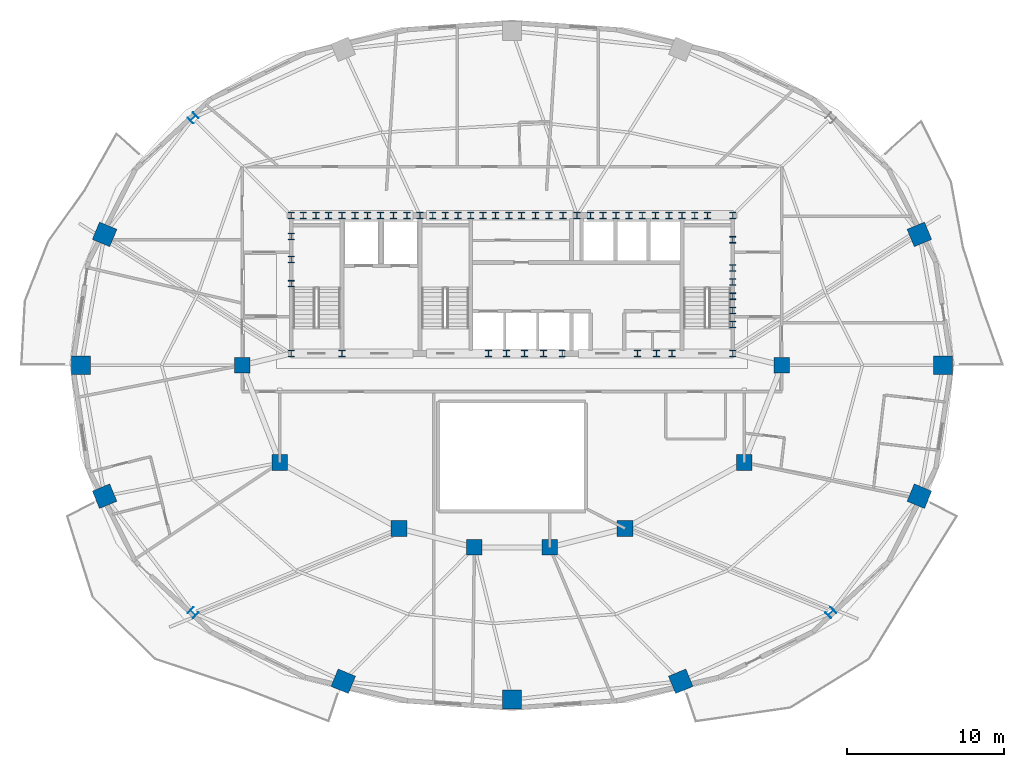
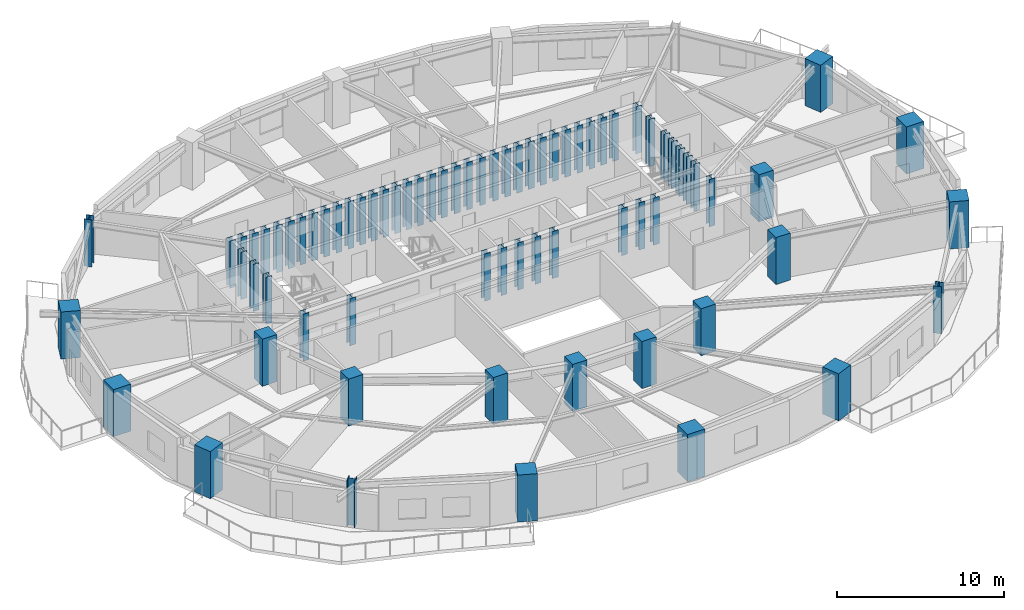
# One storey, part 1 of 10: 74 columns.
"""IFC4 building model written with IfcOpenShell, lengths in metres."""

from ifc_helpers import new_model, si_unit, direction, frame, origin, origin_2d, place, context, subcontext, project, spatial, rectangle, i_section, extrude, material, material_profile, profile_set, type_object, element, save


model = new_model("IFC4")

# Units and contexts
model_context = context("Model", 3, precision=1e-05, world=origin(), true_north=direction((0.0, 1.0)))
body_context = subcontext(model_context, "Body", "Model", "MODEL_VIEW")
ifc_project = project(units=[si_unit("LENGTHUNIT", "METRE"), si_unit("AREAUNIT", "SQUARE_METRE"), si_unit("VOLUMEUNIT", "CUBIC_METRE"), si_unit("PLANEANGLEUNIT", "RADIAN"), si_unit("MASSUNIT", "GRAM", prefix="KILO")], contexts=[model_context])

# Site, building, storey
site_placement = place(None, origin())
site = spatial("IfcSite", under=ifc_project, at=site_placement, CompositionType="ELEMENT")
building_placement = place(site_placement, origin())
building = spatial("IfcBuilding", under=site, at=building_placement, Name="Haldorwick Loom Tower", CompositionType="ELEMENT")
storey_placement = place(building_placement, frame((0.0, 0.0, 193.449951171875)))
storey = spatial("IfcBuildingStorey", under=building, at=storey_placement, Name="L52", CompositionType="ELEMENT", Elevation=193.449951171875)

# Columns
ifc_material_1 = material(Name="Concrete C60 (60 MPa)", Category="concrete")
ifc_material_profile_1 = material_profile(ifc_material_1, rectangle(XDim=1.0, YDim=1.0, at=origin_2d()), Name="RC1000X1000", Category="concrete")
ifc_profile_set_1 = profile_set([ifc_material_profile_1], Name="Concrete C60 (60 MPa)")
column_type_1 = type_object("IfcColumnType", Name="STR-COL-RC1000", PredefinedType="COLUMN", material=ifc_profile_set_1)
for number, where, z_axis, x_axis, name in (
    (1, (53.199951171875, 26.0, 0.0), (0.0, 0.0, 1.0), (1.0, 0.0, 0.0), "L52 Inner Column IC-01"),
    (2, (50.800048828125, 19.800048828125, 0.0), (0.0, 0.0, 1.0), (1.0, 0.0, 0.0), "L52 Inner Column IC-02"),
    (3, (43.199951171875, 15.60009765625, 0.0), (0.0, 0.0, 1.0), (1.0, 0.0, 0.0), "L52 Inner Column IC-03"),
    (4, (38.39990234375, 14.39990234375, 0.0), (0.0, 0.0, 1.0), (1.0, 0.0, 0.0), "L52 Inner Column IC-04"),
    (5, (33.60009765625, 14.39990234375, 0.0), (0.0, 0.0, 1.0), (1.0, 0.0, 0.0), "L52 Inner Column IC-05"),
    (6, (28.800048828125, 15.60009765625, 0.0), (0.0, 0.0, 1.0), (1.0, 0.0, 0.0), "L52 Inner Column IC-06"),
    (7, (21.199951171875, 19.800048828125, 0.0), (0.0, 0.0, 1.0), (1.0, 0.0, 0.0), "L52 Inner Column IC-07"),
    (8, (18.800048828125, 26.0, 0.0), (0.0, 0.0, 1.0), (1.0, 0.0, 0.0), "L52 Inner Column IC-08"),
):
    element("IfcColumn", number, at=place(storey_placement, frame(where, z_axis=z_axis, x_axis=x_axis)), inside=storey, type_object=column_type_1, Name=name, PredefinedType="COLUMN", context=body_context, shape_type="SweptSolid", body=[
        extrude(rectangle(XDim=1.0, YDim=1.0, at=origin_2d()), origin(), (0.0, 0.0, 1.0), 3.449951171875),
    ])
ifc_material_profile_2 = material_profile(ifc_material_1, rectangle(XDim=1.199951171875, YDim=1.199951171875, at=origin_2d()), Name="RC1200X1200", Category="concrete")
ifc_profile_set_2 = profile_set([ifc_material_profile_2], Name="Concrete C60 (60 MPa)")
column_type_2 = type_object("IfcColumnType", Name="STR-COL-RC1200", PredefinedType="COLUMN", material=ifc_profile_set_2)
for number, where, z_axis, x_axis, name in (
    (9, (63.46630859375, 26.0, 0.0), (0.0, 0.0, 1.0), (1.0, 0.0, 0.0), "L52 Perimeter Pier Column P01"),
    (10, (61.9609375, 34.342529296875, 0.0), (0.0, 0.0, 1.0), (0.923879532511, 0.382683432365, 0.0), "L52 Perimeter Pier Column P02"),
    (11, (10.0390625, 34.342529296875, 0.0), (0.0, 0.0, 1.0), (-0.923879532511, 0.382683432365, 0.0), "L52 Perimeter Pier Column P08"),
    (12, (8.53369140625, 26.0, 0.0), (0.0, 0.0, 1.0), (-1.0, 0.0, 0.0), "L52 Perimeter Pier Column P09"),
    (13, (10.0390625, 17.657470703125, 0.0), (0.0, 0.0, 1.0), (-0.923879532511, -0.382683432365, 0.0), "L52 Perimeter Pier Column P10"),
    (14, (25.24658203125, 5.859375, 0.0), (0.0, 0.0, 1.0), (-0.382683432365, -0.923879532511, 0.0), "L52 Perimeter Pier Column P12"),
    (15, (36.0, 4.695068359375, 0.0), (0.0, 0.0, 1.0), (0.0, -1.0, 0.0), "L52 Perimeter Pier Column P13"),
    (16, (46.75341796875, 5.859375, 0.0), (0.0, 0.0, 1.0), (0.382683432365, -0.923879532511, 0.0), "L52 Perimeter Pier Column P14"),
    (17, (61.9609375, 17.657470703125, 0.0), (0.0, 0.0, 1.0), (0.923879532511, -0.382683432365, 0.0), "L52 Perimeter Pier Column P16"),
):
    element("IfcColumn", number, at=place(storey_placement, frame(where, z_axis=z_axis, x_axis=x_axis)), inside=storey, type_object=column_type_2, Name=name, PredefinedType="COLUMN", context=body_context, shape_type="SweptSolid", body=[
        extrude(rectangle(XDim=1.199951171875, YDim=1.199951171875, at=origin_2d()), origin(), (0.0, 0.0, 1.0), 3.449951171875),
    ])
ifc_material_2 = material(Name="Steel CSA G40.21 350W", Category="steel")
ifc_material_profile_3 = material_profile(ifc_material_2, i_section(OverallWidth=0.406005859375, OverallDepth=0.416015625, WebThickness=0.024169921875, FlangeThickness=0.03857421875, at=origin_2d()), Name="W360X382", Category="steel")
ifc_profile_set_3 = profile_set([ifc_material_profile_3], Name="Steel CSA G40.21 350W")
column_type_3 = type_object("IfcColumnType", Name="STR-COL-W360X382", PredefinedType="COLUMN", material=ifc_profile_set_3)
for number, where, z_axis, x_axis, name in (
    (18, (21.929931640625, 35.550048828125, 0.0), (0.0, 0.0, 1.0), (1.0, 0.0, 0.0), "L52 Core Pilaster CB-01"),
    (19, (23.5, 35.550048828125, 0.0), (0.0, 0.0, 1.0), (1.0, 0.0, 0.0), "L52 Core Pilaster CB-02"),
    (20, (25.169921875, 35.550048828125, 0.0), (0.0, 0.0, 1.0), (1.0, 0.0, 0.0), "L52 Core Pilaster CB-03"),
    (21, (26.800048828125, 35.550048828125, 0.0), (0.0, 0.0, 1.0), (1.0, 0.0, 0.0), "L52 Core Pilaster CB-04"),
    (22, (28.449951171875, 35.550048828125, 0.0), (0.0, 0.0, 1.0), (1.0, 0.0, 0.0), "L52 Core Pilaster CB-05"),
    (23, (30.1298828125, 35.550048828125, 0.0), (0.0, 0.0, 1.0), (1.0, 0.0, 0.0), "L52 Core Pilaster CB-06"),
    (24, (31.75, 35.550048828125, 0.0), (0.0, 0.0, 1.0), (1.0, 0.0, 0.0), "L52 Core Pilaster CB-07"),
    (25, (33.3701171875, 35.550048828125, 0.0), (0.0, 0.0, 1.0), (1.0, 0.0, 0.0), "L52 Core Pilaster CB-08"),
    (26, (34.949951171875, 35.550048828125, 0.0), (0.0, 0.0, 1.0), (1.0, 0.0, 0.0), "L52 Core Pilaster CB-09"),
    (27, (36.60009765625, 35.550048828125, 0.0), (0.0, 0.0, 1.0), (1.0, 0.0, 0.0), "L52 Core Pilaster CB-10"),
    (28, (38.35009765625, 35.550048828125, 0.0), (0.0, 0.0, 1.0), (1.0, 0.0, 0.0), "L52 Core Pilaster CB-11"),
    (29, (40.14990234375, 35.550048828125, 0.0), (0.0, 0.0, 1.0), (1.0, 0.0, 0.0), "L52 Core Pilaster CB-12"),
    (30, (41.800048828125, 35.550048828125, 0.0), (0.0, 0.0, 1.0), (1.0, 0.0, 0.0), "L52 Core Pilaster CB-13"),
    (31, (43.449951171875, 35.550048828125, 0.0), (0.0, 0.0, 1.0), (1.0, 0.0, 0.0), "L52 Core Pilaster CB-14"),
    (32, (45.14990234375, 35.550048828125, 0.0), (0.0, 0.0, 1.0), (1.0, 0.0, 0.0), "L52 Core Pilaster CB-15"),
    (33, (46.830078125, 35.550048828125, 0.0), (0.0, 0.0, 1.0), (1.0, 0.0, 0.0), "L52 Core Pilaster CB-16"),
    (34, (48.449951171875, 35.550048828125, 0.0), (0.0, 0.0, 1.0), (1.0, 0.0, 0.0), "L52 Core Pilaster CB-17"),
    (35, (50.070068359375, 35.550048828125, 0.0), (0.0, 0.0, 1.0), (1.0, 0.0, 0.0), "L52 Core Pilaster CB-18"),
    (36, (21.929931640625, 26.75, 0.0), (0.0, 0.0, 1.0), (1.0, 0.0, 0.0), "L52 Core Pilaster CB-19"),
    (37, (25.169921875, 26.75, 0.0), (0.0, 0.0, 1.0), (1.0, 0.0, 0.0), "L52 Core Pilaster CB-20"),
    (38, (34.5, 26.75, 0.0), (0.0, 0.0, 1.0), (1.0, 0.0, 0.0), "L52 Core Pilaster CB-21"),
    (39, (36.800048828125, 26.75, 0.0), (0.0, 0.0, 1.0), (1.0, 0.0, 0.0), "L52 Core Pilaster CB-22"),
    (40, (39.199951171875, 26.75, 0.0), (0.0, 0.0, 1.0), (1.0, 0.0, 0.0), "L52 Core Pilaster CB-23"),
    (41, (45.199951171875, 26.75, 0.0), (0.0, 0.0, 1.0), (1.0, 0.0, 0.0), "L52 Core Pilaster CB-24"),
    (42, (50.070068359375, 26.75, 0.0), (0.0, 0.0, 1.0), (1.0, 0.0, 0.0), "L52 Core Pilaster CB-25"),
    (43, (21.929931640625, 31.199951171875, 0.0), (0.0, 0.0, 1.0), (1.0, 0.0, 0.0), "L52 Core Pilaster CB-26"),
    (44, (21.929931640625, 32.75, 0.0), (0.0, 0.0, 1.0), (1.0, 0.0, 0.0), "L52 Core Pilaster CB-27"),
    (45, (21.929931640625, 34.199951171875, 0.0), (0.0, 0.0, 1.0), (1.0, 0.0, 0.0), "L52 Core Pilaster CB-28"),
    (46, (50.070068359375, 28.60009765625, 0.0), (0.0, 0.0, 1.0), (1.0, 0.0, 0.0), "L52 Core Pilaster CB-29"),
    (47, (50.070068359375, 30.39990234375, 0.0), (0.0, 0.0, 1.0), (1.0, 0.0, 0.0), "L52 Core Pilaster CB-30"),
    (48, (50.070068359375, 32.199951171875, 0.0), (0.0, 0.0, 1.0), (1.0, 0.0, 0.0), "L52 Core Pilaster CB-31"),
    (49, (50.070068359375, 34.0, 0.0), (0.0, 0.0, 1.0), (1.0, 0.0, 0.0), "L52 Core Pilaster CB-32"),
    (50, (22.699951171875, 35.550048828125, 0.0), (0.0, 0.0, 1.0), (1.0, 0.0, 0.0), "L52 Core Pilaster CB-33"),
    (51, (27.6201171875, 35.550048828125, 0.0), (0.0, 0.0, 1.0), (1.0, 0.0, 0.0), "L52 Core Pilaster CB-34"),
    (52, (32.550048828125, 35.550048828125, 0.0), (0.0, 0.0, 1.0), (1.0, 0.0, 0.0), "L52 Core Pilaster CB-35"),
    (53, (37.5, 35.550048828125, 0.0), (0.0, 0.0, 1.0), (1.0, 0.0, 0.0), "L52 Core Pilaster CB-36"),
    (54, (42.6201171875, 35.550048828125, 0.0), (0.0, 0.0, 1.0), (1.0, 0.0, 0.0), "L52 Core Pilaster CB-37"),
    (55, (47.64990234375, 35.550048828125, 0.0), (0.0, 0.0, 1.0), (1.0, 0.0, 0.0), "L52 Core Pilaster CB-38"),
    (56, (24.300048828125, 35.550048828125, 0.0), (0.0, 0.0, 1.0), (1.0, 0.0, 0.0), "L52 Core Pilaster CB-39"),
    (57, (26.0, 35.550048828125, 0.0), (0.0, 0.0, 1.0), (1.0, 0.0, 0.0), "L52 Core Pilaster CB-40"),
    (58, (29.300048828125, 35.550048828125, 0.0), (0.0, 0.0, 1.0), (1.0, 0.0, 0.0), "L52 Core Pilaster CB-41"),
    (59, (30.949951171875, 35.550048828125, 0.0), (0.0, 0.0, 1.0), (1.0, 0.0, 0.0), "L52 Core Pilaster CB-42"),
    (60, (34.14990234375, 35.550048828125, 0.0), (0.0, 0.0, 1.0), (1.0, 0.0, 0.0), "L52 Core Pilaster CB-43"),
    (61, (35.800048828125, 35.550048828125, 0.0), (0.0, 0.0, 1.0), (1.0, 0.0, 0.0), "L52 Core Pilaster CB-44"),
    (62, (39.25, 35.550048828125, 0.0), (0.0, 0.0, 1.0), (1.0, 0.0, 0.0), "L52 Core Pilaster CB-45"),
    (63, (41.0, 35.550048828125, 0.0), (0.0, 0.0, 1.0), (1.0, 0.0, 0.0), "L52 Core Pilaster CB-46"),
    (64, (44.300048828125, 35.550048828125, 0.0), (0.0, 0.0, 1.0), (1.0, 0.0, 0.0), "L52 Core Pilaster CB-47"),
    (65, (46.0, 35.550048828125, 0.0), (0.0, 0.0, 1.0), (1.0, 0.0, 0.0), "L52 Core Pilaster CB-48"),
    (66, (50.070068359375, 29.5, 0.0), (0.0, 0.0, 1.0), (1.0, 0.0, 0.0), "L52 Core Pilaster CB-49"),
    (67, (50.070068359375, 31.300048828125, 0.0), (0.0, 0.0, 1.0), (1.0, 0.0, 0.0), "L52 Core Pilaster CB-50"),
    (68, (35.64990234375, 26.75, 0.0), (0.0, 0.0, 1.0), (1.0, 0.0, 0.0), "L52 Core Pilaster CB-51"),
    (69, (38.0, 26.75, 0.0), (0.0, 0.0, 1.0), (1.0, 0.0, 0.0), "L52 Core Pilaster CB-52"),
    (70, (44.0, 26.75, 0.0), (0.0, 0.0, 1.0), (1.0, 0.0, 0.0), "L52 Core Pilaster CB-53"),
    (71, (46.199951171875, 26.75, 0.0), (0.0, 0.0, 1.0), (1.0, 0.0, 0.0), "L52 Core Pilaster CB-54"),
):
    element("IfcColumn", number, at=place(storey_placement, frame(where, z_axis=z_axis, x_axis=x_axis)), inside=storey, type_object=column_type_3, Name=name, PredefinedType="COLUMN", context=body_context, shape_type="SweptSolid", body=[
        extrude(i_section(OverallWidth=0.406005859375, OverallDepth=0.416015625, WebThickness=0.024169921875, FlangeThickness=0.03857421875, at=origin_2d()), origin(), (0.0, 0.0, 1.0), 3.449951171875),
    ])
ifc_material_3 = material(Name="Steel CSA G40.21 350WT", Category="steel")
ifc_material_profile_4 = material_profile(ifc_material_3, i_section(OverallWidth=0.5, OverallDepth=0.5, WebThickness=0.02197265625, FlangeThickness=0.031982421875, at=origin_2d()), Name="WWF500X500", Category="steel")
ifc_profile_set_4 = profile_set([ifc_material_profile_4], Name="Steel CSA G40.21 350WT")
column_type_4 = type_object("IfcColumnType", Name="STR-COL-WWF500", PredefinedType="COLUMN", material=ifc_profile_set_4)
for number, where, z_axis, x_axis, name in (
    (72, (15.682373046875, 41.764892578125, 0.0), (0.0, 0.0, 1.0), (-0.707106781187, 0.707106781187, 0.0), "L52 Perimeter Pier Column P07"),
    (73, (15.682373046875, 10.235107421875, 0.0), (0.0, 0.0, 1.0), (-0.707106781187, -0.707106781187, 0.0), "L52 Perimeter Pier Column P11"),
    (74, (56.317626953125, 10.235107421875, 0.0), (0.0, 0.0, 1.0), (0.707106781187, -0.707106781187, 0.0), "L52 Perimeter Pier Column P15"),
):
    element("IfcColumn", number, at=place(storey_placement, frame(where, z_axis=z_axis, x_axis=x_axis)), inside=storey, type_object=column_type_4, Name=name, PredefinedType="COLUMN", context=body_context, shape_type="SweptSolid", body=[
        extrude(i_section(OverallWidth=0.5, OverallDepth=0.5, WebThickness=0.02197265625, FlangeThickness=0.031982421875, at=origin_2d()), origin(), (0.0, 0.0, 1.0), 3.449951171875),
    ])

save(model, "model.ifc")
